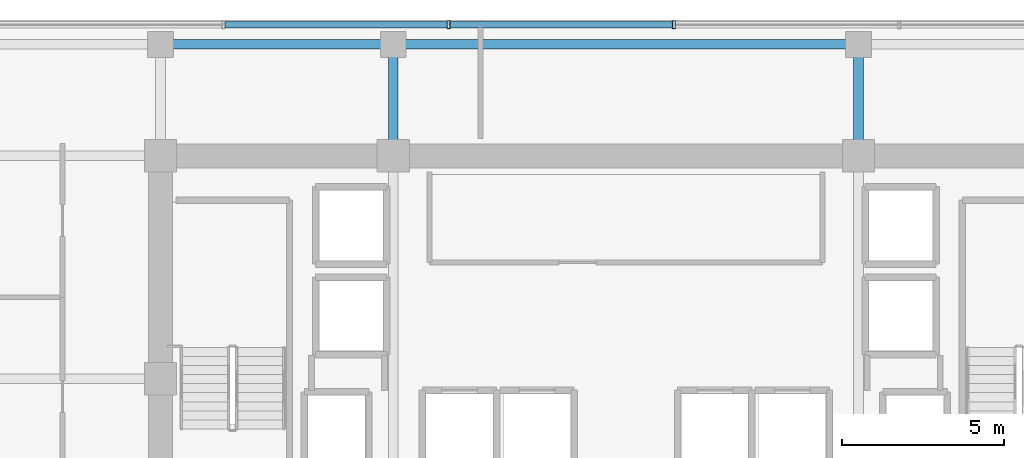
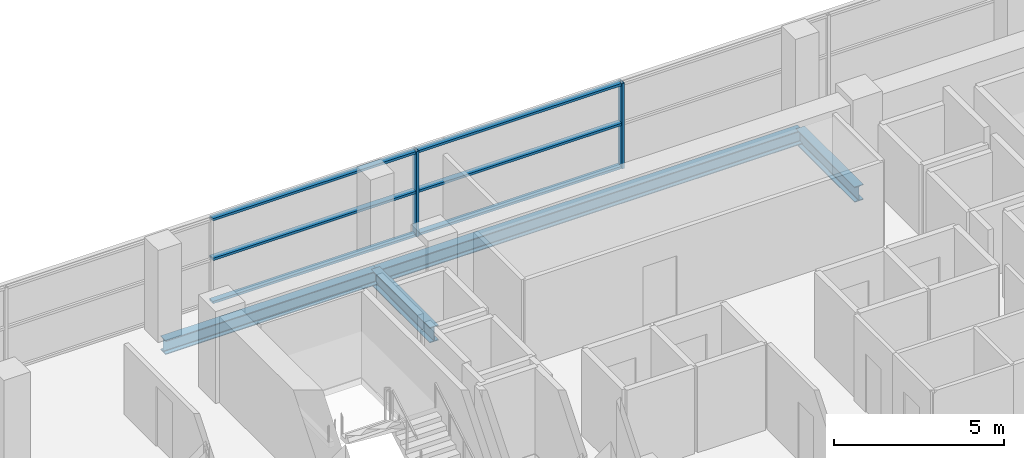
# One storey, part 16 of 28: 8 members, 4 beams, 1 element without a shape of its own.
"""IFC4 building model written with IfcOpenShell, lengths in metres."""

from ifc_helpers import new_model, si_unit, direction, frame, origin, origin_2d, place, context, subcontext, project, spatial, hollow_rectangle, i_section, extrude, source, transform, mapped, material, layer, layer_set, material_profile, profile_set, type_object, element, aggregate, save


model = new_model("IFC4")

# Units and contexts
model_context = context("Model", 3, precision=1e-05, world=origin(), true_north=direction((0.0, 1.0)))
body_context = subcontext(model_context, "Body", "Model", "MODEL_VIEW")
ifc_project = project(units=[si_unit("LENGTHUNIT", "METRE"), si_unit("AREAUNIT", "SQUARE_METRE"), si_unit("VOLUMEUNIT", "CUBIC_METRE"), si_unit("PLANEANGLEUNIT", "RADIAN"), si_unit("MASSUNIT", "GRAM", prefix="KILO")], contexts=[model_context])

# Site, building, storey
site_placement = place(None, origin())
site = spatial("IfcSite", under=ifc_project, at=site_placement, CompositionType="ELEMENT")
building_placement = place(site_placement, origin())
building = spatial("IfcBuilding", under=site, at=building_placement, Name="Zarnakvel Exchange Tower", CompositionType="ELEMENT")
storey_placement = place(building_placement, frame((0.0, 0.0, 103.300048828125)))
storey = spatial("IfcBuildingStorey", under=building, at=storey_placement, Name="L28", CompositionType="ELEMENT", Elevation=103.300048828125)

# Beams
ifc_material_1 = material(Name="Steel S355", Category="steel")
ifc_material_profile_1 = material_profile(ifc_material_1, i_section(OverallWidth=0.300048828125, OverallDepth=0.550048828125, WebThickness=0.014892578125, FlangeThickness=0.029052734375, FilletRadius=0.027099609375, at=origin_2d()))
ifc_profile_set_1 = profile_set([ifc_material_profile_1], Name="Steel S355")
beam_type_1 = type_object("IfcBeamType", Name="G-05", PredefinedType="BEAM", material=ifc_profile_set_1)
for number, where, z_axis, x_axis, name in (
    (1, (-7.199951171875, 13.5, -0.5), (0.0, 1.0, 0.0), (-1.0, 0.0, 0.0), "L28 Tower N-S Frame Beam"),
    (2, (7.199951171875, 13.5, -0.5), (0.0, 1.0, 0.0), (-1.0, 0.0, 0.0), "L28 Tower N-S Frame Beam"),
):
    element("IfcBeam", number, at=place(storey_placement, frame(where, z_axis=z_axis, x_axis=x_axis)), inside=storey, type_object=beam_type_1, Name=name, PredefinedType="BEAM", context=body_context, shape_type="SweptSolid", body=[
        extrude(i_section(OverallWidth=0.300048828125, OverallDepth=0.550048828125, WebThickness=0.014892578125, FlangeThickness=0.029052734375, FilletRadius=0.027099609375, at=origin_2d()), origin(), (0.0, 0.0, 1.0), 3.449951171875),
    ])
ifc_material_profile_2 = material_profile(ifc_material_1, i_section(OverallWidth=0.300048828125, OverallDepth=0.5, WebThickness=0.014404296875, FlangeThickness=0.028076171875, FilletRadius=0.027099609375, at=origin_2d()))
ifc_profile_set_2 = profile_set([ifc_material_profile_2], Name="Steel S355")
beam_type_2 = type_object("IfcBeamType", Name="SP-02", PredefinedType="SPANDREL", material=ifc_profile_set_2)
beam_1_placement = place(storey_placement, frame((-14.39990234375, 16.949951171875, -0.47509765625), z_axis=(1.0, 0.0, 0.0), x_axis=(0.0, 1.0, 0.0)))
element("IfcBeam", 3, at=beam_1_placement, inside=storey, type_object=beam_type_2, Name="L28 Tower E-W Frame Beam", PredefinedType="SPANDREL", context=body_context, shape_type="SweptSolid", body=[
    extrude(i_section(OverallWidth=0.300048828125, OverallDepth=0.5, WebThickness=0.014404296875, FlangeThickness=0.028076171875, FilletRadius=0.027099609375, at=origin_2d()), origin(), (0.0, 0.0, 1.0), 7.199951171875),
])
beam_2_placement = place(storey_placement, frame((-7.199951171875, 16.949951171875, -0.47509765625), z_axis=(1.0, 0.0, 0.0), x_axis=(0.0, 1.0, 0.0)))
element("IfcBeam", 4, at=beam_2_placement, inside=storey, type_object=beam_type_2, Name="L28 Tower E-W Frame Beam", PredefinedType="SPANDREL", context=body_context, shape_type="SweptSolid", body=[
    extrude(i_section(OverallWidth=0.300048828125, OverallDepth=0.5, WebThickness=0.014404296875, FlangeThickness=0.028076171875, FilletRadius=0.027099609375, at=origin_2d()), origin(), (0.0, 0.0, 1.0), 14.39990234375),
])

# Curtain wall, members
ifc_material_2 = material(Name="Architectural Bronze Anodised Aluminium", Category="aluminium")
ifc_layer = layer(ifc_material_2, 0.239990234375)
ifc_layer_set = layer_set([ifc_layer], Name="Architectural Bronze Anodised Aluminium")
curtain_wall_type = type_object("IfcCurtainWallType", Name="CW-02", PredefinedType="NOTDEFINED", material=ifc_layer_set)
curtain_wall_placement = place(storey_placement, origin())
curtain_wall = element("IfcCurtainWall", 5, at=curtain_wall_placement, inside=storey, type_object=curtain_wall_type, Name="L28 Curtain Wall CW-L28-N1 (CW-02)", PredefinedType="NOTDEFINED")
ifc_material_profile_3 = material_profile(ifc_material_2, hollow_rectangle(XDim=0.239990234375, YDim=0.090087890625, WallThickness=0.006103515625, at=origin_2d()))
ifc_profile_set_3 = profile_set([ifc_material_profile_3], Name="Architectural Bronze Anodised Aluminium")
member_type_1 = type_object("IfcMemberType", Name="CWM-02", PredefinedType="MULLION", material=ifc_profile_set_3)
shared_shape_1 = source(origin(), body_context, "Body", "SweptSolid", [
    extrude(hollow_rectangle(XDim=0.239990234375, YDim=0.090087890625, WallThickness=0.006103515625, at=origin_2d()), origin(), (0.0, 0.0, 1.0), 3.054931640625),
])
member_1_placement = place(storey_placement, frame((-5.485595703125, 17.56005859375, 0.0), z_axis=(0.0, 0.0, 1.0), x_axis=(0.0, 1.0, 0.0)))
member_1 = element("IfcMember", 6, at=member_1_placement, type_object=member_type_1, Name="CW-02 mullion 4", PredefinedType="MULLION", context=body_context, shape_type="MappedRepresentation", body=[
    mapped(shared_shape_1, transform((0.0, 0.0, 0.0), x_axis=(1.0, 0.0, 0.0), y_axis=(0.0, 1.0, 0.0), z_axis=(0.0, 0.0, 1.0), scale=1.0)),
])
member_2_placement = place(storey_placement, frame((1.485595703125, 17.56005859375, 0.0), z_axis=(0.0, 0.0, 1.0), x_axis=(0.0, 1.0, 0.0)))
member_2 = element("IfcMember", 7, at=member_2_placement, type_object=member_type_1, Name="CW-02 mullion 5", PredefinedType="MULLION", context=body_context, shape_type="MappedRepresentation", body=[
    mapped(shared_shape_1, transform((0.0, 0.0, 0.0), x_axis=(1.0, 0.0, 0.0), y_axis=(0.0, 1.0, 0.0), z_axis=(0.0, 0.0, 1.0), scale=1.0)),
])
ifc_material_profile_4 = material_profile(ifc_material_2, hollow_rectangle(XDim=0.199951171875, YDim=0.0849609375, WallThickness=0.0048828125, at=origin_2d()))
ifc_profile_set_4 = profile_set([ifc_material_profile_4], Name="Architectural Bronze Anodised Aluminium")
member_type_2 = type_object("IfcMemberType", Name="CWT-02", PredefinedType="USERDEFINED", material=ifc_profile_set_4)
shared_shape_2 = source(origin(), body_context, "Body", "SweptSolid", [
    extrude(hollow_rectangle(XDim=0.199951171875, YDim=0.0849609375, WallThickness=0.0048828125, at=origin_2d()), origin(), (0.0, 0.0, 1.0), 6.88134765625),
])
member_3_placement = place(storey_placement, frame((-12.412109375, 17.56005859375, 0.04248046875), z_axis=(1.0, 0.0, 0.0), x_axis=(0.0, 1.0, 0.0)))
member_3 = element("IfcMember", 8, at=member_3_placement, type_object=member_type_2, Name="CW-02 transom 3.1", ObjectType="TRANSOM", PredefinedType="USERDEFINED", context=body_context, shape_type="MappedRepresentation", body=[
    mapped(shared_shape_2, transform((0.0, 0.0, 0.0), x_axis=(1.0, 0.0, 0.0), y_axis=(0.0, 1.0, 0.0), z_axis=(0.0, 0.0, 1.0), scale=1.0)),
])
member_4_placement = place(storey_placement, frame((-12.412109375, 17.56005859375, 1.588623046875), z_axis=(1.0, 0.0, 0.0), x_axis=(0.0, 1.0, 0.0)))
member_4 = element("IfcMember", 9, at=member_4_placement, type_object=member_type_2, Name="CW-02 transom 3.2", ObjectType="TRANSOM", PredefinedType="USERDEFINED", context=body_context, shape_type="MappedRepresentation", body=[
    mapped(shared_shape_2, transform((0.0, 0.0, 0.0), x_axis=(1.0, 0.0, 0.0), y_axis=(0.0, 1.0, 0.0), z_axis=(0.0, 0.0, 1.0), scale=1.0)),
])
member_5_placement = place(storey_placement, frame((-12.412109375, 17.56005859375, 3.012451171875), z_axis=(1.0, 0.0, 0.0), x_axis=(0.0, 1.0, 0.0)))
member_5 = element("IfcMember", 10, at=member_5_placement, type_object=member_type_2, Name="CW-02 transom 3.3", ObjectType="TRANSOM", PredefinedType="USERDEFINED", context=body_context, shape_type="MappedRepresentation", body=[
    mapped(shared_shape_2, transform((0.0, 0.0, 0.0), x_axis=(1.0, 0.0, 0.0), y_axis=(0.0, 1.0, 0.0), z_axis=(0.0, 0.0, 1.0), scale=1.0)),
])
member_6_placement = place(storey_placement, frame((-5.440673828125, 17.56005859375, 0.04248046875), z_axis=(1.0, 0.0, 0.0), x_axis=(0.0, 1.0, 0.0)))
member_6 = element("IfcMember", 11, at=member_6_placement, type_object=member_type_2, Name="CW-02 transom 4.1", ObjectType="TRANSOM", PredefinedType="USERDEFINED", context=body_context, shape_type="MappedRepresentation", body=[
    mapped(shared_shape_2, transform((0.0, 0.0, 0.0), x_axis=(1.0, 0.0, 0.0), y_axis=(0.0, 1.0, 0.0), z_axis=(0.0, 0.0, 1.0), scale=1.0)),
])
member_7_placement = place(storey_placement, frame((-5.440673828125, 17.56005859375, 1.588623046875), z_axis=(1.0, 0.0, 0.0), x_axis=(0.0, 1.0, 0.0)))
member_7 = element("IfcMember", 12, at=member_7_placement, type_object=member_type_2, Name="CW-02 transom 4.2", ObjectType="TRANSOM", PredefinedType="USERDEFINED", context=body_context, shape_type="MappedRepresentation", body=[
    mapped(shared_shape_2, transform((0.0, 0.0, 0.0), x_axis=(1.0, 0.0, 0.0), y_axis=(0.0, 1.0, 0.0), z_axis=(0.0, 0.0, 1.0), scale=1.0)),
])
member_8_placement = place(storey_placement, frame((-5.440673828125, 17.56005859375, 3.012451171875), z_axis=(1.0, 0.0, 0.0), x_axis=(0.0, 1.0, 0.0)))
member_8 = element("IfcMember", 13, at=member_8_placement, type_object=member_type_2, Name="CW-02 transom 4.3", ObjectType="TRANSOM", PredefinedType="USERDEFINED", context=body_context, shape_type="MappedRepresentation", body=[
    mapped(shared_shape_2, transform((0.0, 0.0, 0.0), x_axis=(1.0, 0.0, 0.0), y_axis=(0.0, 1.0, 0.0), z_axis=(0.0, 0.0, 1.0), scale=1.0)),
])
aggregate(curtain_wall, [member_1, member_2, member_3, member_4, member_5, member_6, member_7, member_8])

save(model, "model.ifc")
